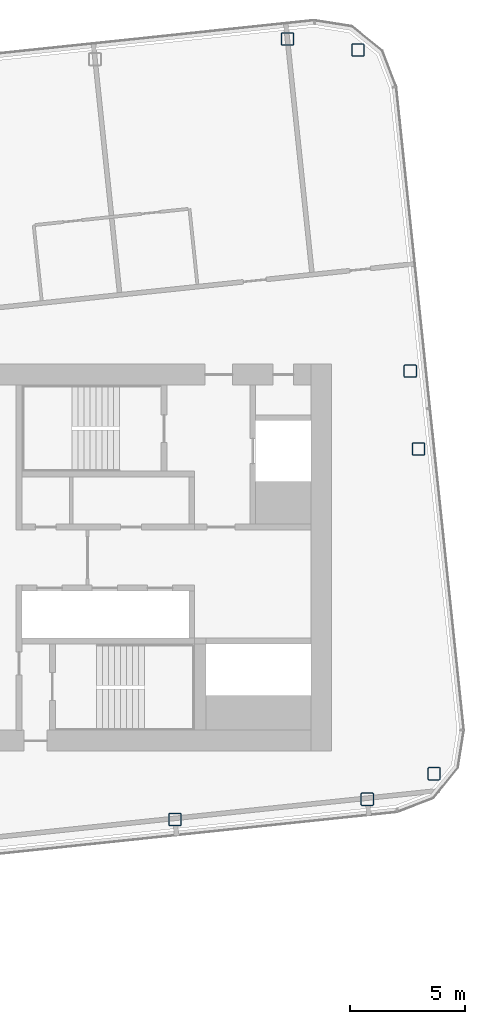
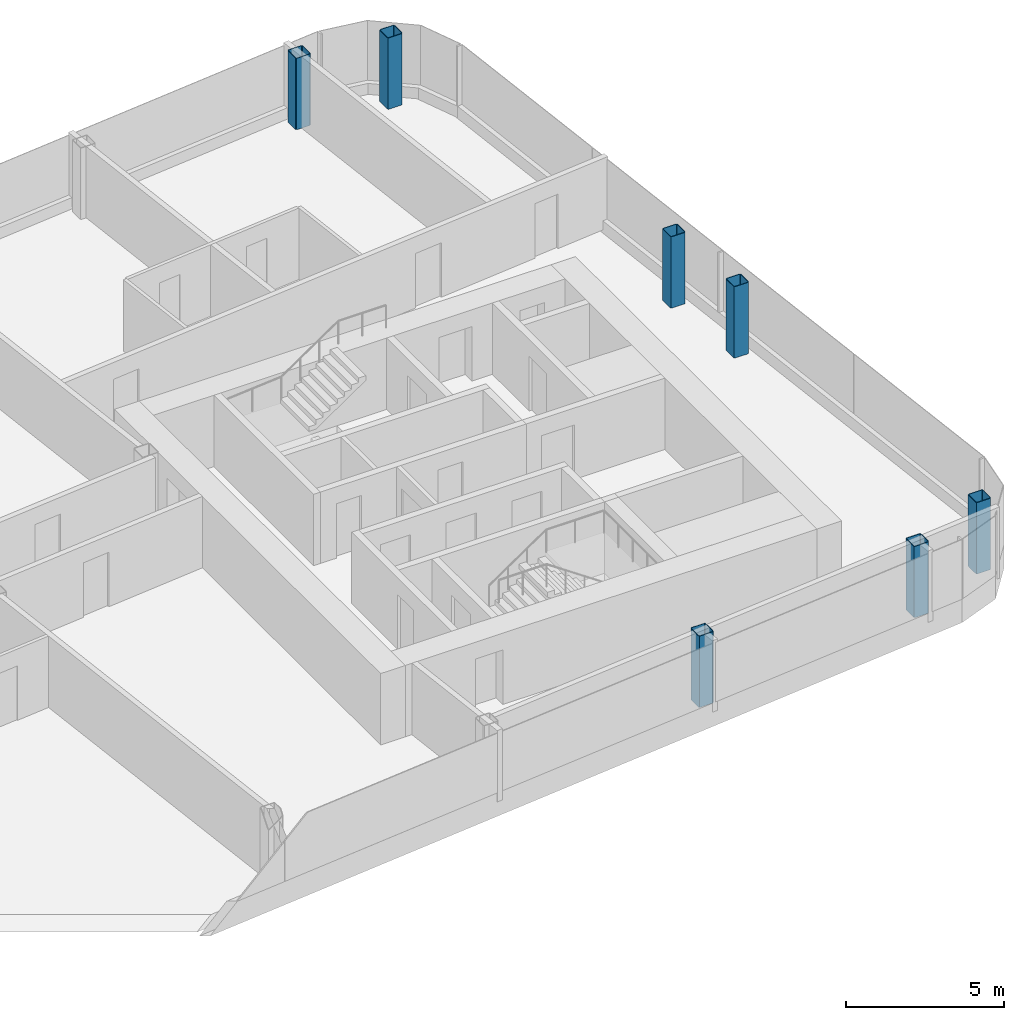
# One storey, part 2 of 26: 7 columns.
"""IFC4 building model written with IfcOpenShell, lengths in metres."""

from ifc_helpers import new_model, si_unit, direction, frame, origin, origin_2d, place, context, subcontext, project, spatial, hollow_rectangle, extrude, material, material_profile, profile_set, type_object, element, save


model = new_model("IFC4")

# Units and contexts
model_context = context("Model", 3, precision=1e-05, world=origin(), true_north=direction((0.0, 1.0)))
body_context = subcontext(model_context, "Body", "Model", "MODEL_VIEW")
ifc_project = project(units=[si_unit("LENGTHUNIT", "METRE"), si_unit("AREAUNIT", "SQUARE_METRE"), si_unit("VOLUMEUNIT", "CUBIC_METRE"), si_unit("PLANEANGLEUNIT", "RADIAN"), si_unit("MASSUNIT", "GRAM", prefix="KILO")], contexts=[model_context])

# Site, building, storey
site_placement = place(None, origin())
site = spatial("IfcSite", under=ifc_project, at=site_placement, CompositionType="ELEMENT")
building_placement = place(site_placement, origin())
building = spatial("IfcBuilding", under=site, at=building_placement, Name="Hakoniwa Tower and Hamabe Station Hall", CompositionType="ELEMENT")
storey_placement = place(building_placement, frame((0.0, 0.0, 251.800048828125)))
storey = spatial("IfcBuildingStorey", under=building, at=storey_placement, Name="L71", CompositionType="ELEMENT", Elevation=251.800048828125)

# Columns
ifc_material = material(Name="Steel BCP325", Category="steel")
ifc_material_profile = material_profile(ifc_material, hollow_rectangle(XDim=0.550048828125, YDim=0.550048828125, WallThickness=0.02197265625, InnerFilletRadius=0.032958984375, OuterFilletRadius=0.054931640625, at=origin_2d()), Name="BCP-550x550x22")
ifc_profile_set = profile_set([ifc_material_profile], Name="Steel BCP325")
column_type = type_object("IfcColumnType", Name="COLUMN BCP-550x550x22", PredefinedType="COLUMN", material=ifc_profile_set)
for number, where, z_axis, x_axis, name in (
    (1, (26.797119140625, -11.375, 0.0), (0.0, 0.0, 1.0), (1.0, 0.0, 0.0), "Column B5-10-A5"),
    (2, (35.151123046875, -10.496826171875, 0.0), (0.0, 0.0, 1.0), (1.0, 0.0, 0.0), "Column B5-11-A5"),
    (3, (31.680908203125, 22.521240234375, 0.0), (0.0, 0.0, 1.0), (1.0, 0.0, 0.0), "Column B5-11-F5"),
    (4, (38.054443359375, -9.390380859375, 0.0), (0.0, 0.0, 1.0), (1.0, 0.0, 0.0), "Column B5-EE-A5"),
    (5, (37.372802734375, 4.71875, 0.0), (0.0, 0.0, 1.0), (1.0, 0.0, 0.0), "Column B5-EE-C5"),
    (6, (37.017333984375, 8.10009765625, 0.0), (0.0, 0.0, 1.0), (1.0, 0.0, 0.0), "Column B5-EE-D5"),
    (7, (34.750732421875, 22.04248046875, 0.0), (0.0, 0.0, 1.0), (1.0, 0.0, 0.0), "Column B5-EE-F5"),
):
    element("IfcColumn", number, at=place(storey_placement, frame(where, z_axis=z_axis, x_axis=x_axis)), inside=storey, type_object=column_type, Name=name, PredefinedType="COLUMN", context=body_context, shape_type="SweptSolid", body=[
        extrude(hollow_rectangle(XDim=0.550048828125, YDim=0.550048828125, WallThickness=0.02197265625, InnerFilletRadius=0.032958984375, OuterFilletRadius=0.054931640625, at=origin_2d()), origin(), (0.0, 0.0, 1.0), 2.75),
    ])

save(model, "model.ifc")
